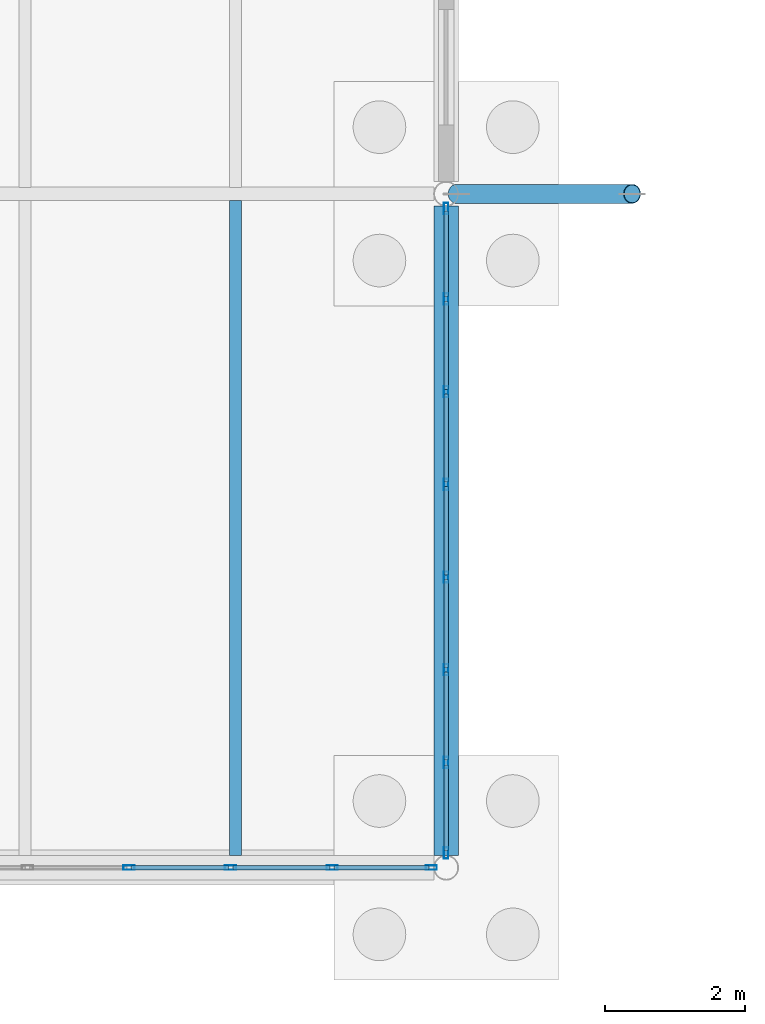
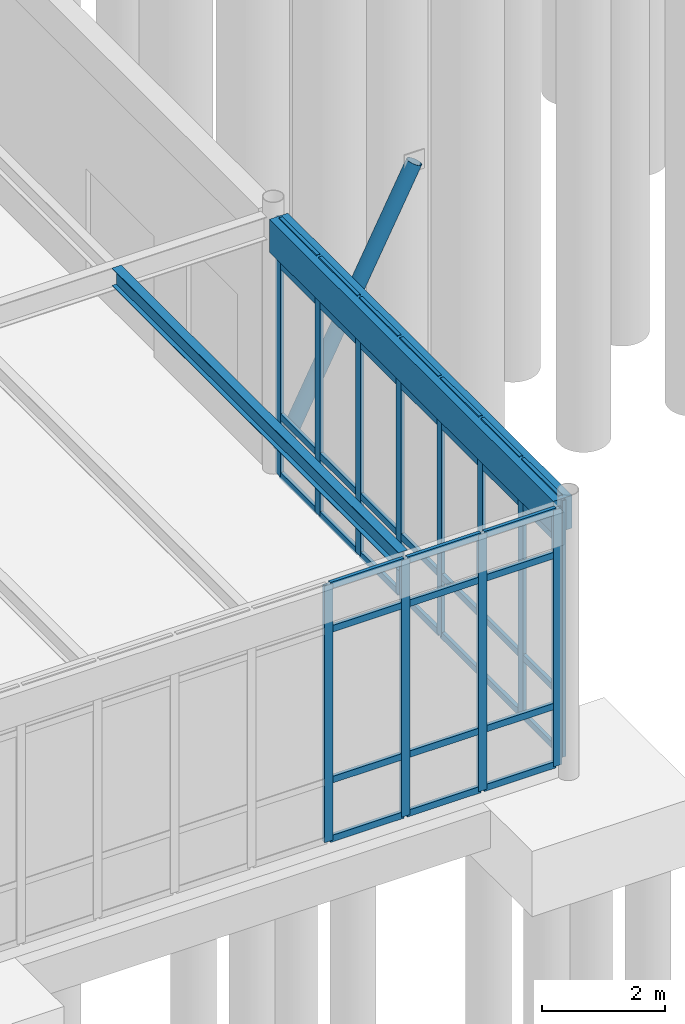
# One storey, part 32 of 188: 53 members, 2 beams, 2 elements without a shape of their own.
"""IFC4 building model written with IfcOpenShell, lengths in metres."""

from ifc_helpers import new_model, si_unit, direction, frame, origin, origin_2d, place, context, subcontext, project, spatial, rectangle, hollow_rectangle, hollow_circle, i_section, extrude, material, layer, layer_set, material_profile, profile_set, type_object, element, aggregate, save


model = new_model("IFC4")

# Units and contexts
model_context = context("Model", 3, precision=1e-05, world=origin(), true_north=direction((0.0, 1.0)))
body_context = subcontext(model_context, "Body", "Model", "MODEL_VIEW")
ifc_project = project(units=[si_unit("LENGTHUNIT", "METRE"), si_unit("AREAUNIT", "SQUARE_METRE"), si_unit("VOLUMEUNIT", "CUBIC_METRE"), si_unit("PLANEANGLEUNIT", "RADIAN"), si_unit("MASSUNIT", "GRAM", prefix="KILO")], contexts=[model_context])

# Site, building, storey
site_placement = place(None, origin())
site = spatial("IfcSite", under=ifc_project, at=site_placement, CompositionType="ELEMENT")
building_placement = place(site_placement, origin())
building = spatial("IfcBuilding", under=site, at=building_placement, Name="Pandanus Reach Market Hall", CompositionType="ELEMENT")
storey_placement = place(building_placement, origin())
storey = spatial("IfcBuildingStorey", under=building, at=storey_placement, Name="L00", CompositionType="ELEMENT", Elevation=0.0)

# Beam
ifc_material_1 = material(Name="Concrete N40 (40 MPa)", Category="concrete")
ifc_material_profile_1 = material_profile(ifc_material_1, rectangle(XDim=0.35009765625, YDim=0.64990234375, at=origin_2d()), Name="RC350x650", Category="LoadBearing")
ifc_profile_set_1 = profile_set([ifc_material_profile_1], Name="Concrete N40 (40 MPa)")
beam_type_1 = type_object("IfcBeamType", Name="BM-RC350-E", PredefinedType="SPANDREL", material=ifc_profile_set_1)
beam_1_placement = place(storey_placement, frame((36.0, 0.17578125, 4.784912109375), z_axis=(0.0, 1.0, 0.0), x_axis=(-1.0, 0.0, 0.0)))
element("IfcBeam", 1, at=beam_1_placement, inside=storey, type_object=beam_type_1, Name="Framing beam BM-RC350-E L00.942", PredefinedType="SPANDREL", context=body_context, shape_type="SweptSolid", body=[
    extrude(rectangle(XDim=0.35009765625, YDim=0.64990234375, at=origin_2d()), origin(), (0.0, 0.0, 1.0), 9.24853515625),
])

# Curtain wall, members
ifc_material_2 = material(Name="Bronze anodised aluminium and low-E glass", Category="aluminium")
ifc_layer_1 = layer(ifc_material_2, 0.159912109375, Name="CW-10")
ifc_layer_set_1 = layer_set([ifc_layer_1], Name="Bronze anodised aluminium and low-E glass")
curtain_wall_type_1 = type_object("IfcCurtainWallType", Name="CW-10", PredefinedType="NOTDEFINED", material=ifc_layer_set_1)
curtain_wall_1_placement = place(storey_placement, origin())
curtain_wall_1 = element("IfcCurtainWall", 2, at=curtain_wall_1_placement, inside=storey, type_object=curtain_wall_type_1, Name="Glazed curtain wall CW-10 CW-0048", PredefinedType="NOTDEFINED")
ifc_material_3 = material(Name="Bronze anodised aluminium", Category="aluminium")
ifc_material_profile_2 = material_profile(ifc_material_3, hollow_rectangle(XDim=0.06494140625, YDim=0.159912109375, WallThickness=0.00390625, at=origin_2d()), Name="ALU65x160", Category="LoadBearing")
ifc_profile_set_2 = profile_set([ifc_material_profile_2], Name="Bronze anodised aluminium")
member_type_1 = type_object("IfcMemberType", Name="CW-M1", PredefinedType="MULLION", material=ifc_profile_set_2)
member_1_placement = place(storey_placement, frame((31.482666015625, 0.0, 0.0), z_axis=(0.0, 0.0, 1.0), x_axis=(0.0, 1.0, 0.0)))
member_1 = element("IfcMember", 3, at=member_1_placement, type_object=member_type_1, Name="CW-10 mullion 6", PredefinedType="MULLION", context=body_context, shape_type="SweptSolid", body=[
    extrude(hollow_rectangle(XDim=0.06494140625, YDim=0.159912109375, WallThickness=0.00390625, at=origin_2d()), origin(), (0.0, 0.0, 1.0), 5.10009765625),
])
member_2_placement = place(storey_placement, frame((32.92919921875, 0.0, 0.0), z_axis=(0.0, 0.0, 1.0), x_axis=(0.0, 1.0, 0.0)))
member_2 = element("IfcMember", 4, at=member_2_placement, type_object=member_type_1, Name="CW-10 mullion 7", PredefinedType="MULLION", context=body_context, shape_type="SweptSolid", body=[
    extrude(hollow_rectangle(XDim=0.06494140625, YDim=0.159912109375, WallThickness=0.00390625, at=origin_2d()), origin(), (0.0, 0.0, 1.0), 5.10009765625),
])
member_3_placement = place(storey_placement, frame((34.375732421875, 0.0, 0.0), z_axis=(0.0, 0.0, 1.0), x_axis=(0.0, 1.0, 0.0)))
member_3 = element("IfcMember", 5, at=member_3_placement, type_object=member_type_1, Name="CW-10 mullion 8", PredefinedType="MULLION", context=body_context, shape_type="SweptSolid", body=[
    extrude(hollow_rectangle(XDim=0.06494140625, YDim=0.159912109375, WallThickness=0.00390625, at=origin_2d()), origin(), (0.0, 0.0, 1.0), 5.10009765625),
])
member_4_placement = place(storey_placement, frame((35.789794921875, 0.0, 0.0), z_axis=(0.0, 0.0, 1.0), x_axis=(0.0, 1.0, 0.0)))
member_4 = element("IfcMember", 6, at=member_4_placement, type_object=member_type_1, Name="CW-10 mullion 9", PredefinedType="MULLION", context=body_context, shape_type="SweptSolid", body=[
    extrude(hollow_rectangle(XDim=0.06494140625, YDim=0.159912109375, WallThickness=0.00390625, at=origin_2d()), origin(), (0.0, 0.0, 1.0), 5.10009765625),
])

ifc_layer_2 = layer(ifc_material_2, 0.159912109375, Name="CW-14")
ifc_layer_set_2 = layer_set([ifc_layer_2], Name="Bronze anodised aluminium and low-E glass")
curtain_wall_type_2 = type_object("IfcCurtainWallType", Name="CW-14", PredefinedType="NOTDEFINED", material=ifc_layer_set_2)
curtain_wall_2_placement = place(storey_placement, origin())
curtain_wall_2 = element("IfcCurtainWall", 7, at=curtain_wall_2_placement, inside=storey, type_object=curtain_wall_type_2, Name="Glazed curtain wall CW-14 CW-0052", PredefinedType="NOTDEFINED")
member_5_placement = place(storey_placement, frame((36.0, 0.210205078125, 0.0), z_axis=(0.0, 0.0, 1.0), x_axis=(-1.0, 0.0, 0.0)))
member_5 = element("IfcMember", 8, at=member_5_placement, type_object=member_type_1, Name="CW-14 mullion 1", PredefinedType="MULLION", context=body_context, shape_type="SweptSolid", body=[
    extrude(hollow_rectangle(XDim=0.06494140625, YDim=0.159912109375, WallThickness=0.00390625, at=origin_2d()), origin(), (0.0, 0.0, 1.0), 5.10009765625),
])
member_6_placement = place(storey_placement, frame((36.0, 1.49853515625, 0.0), z_axis=(0.0, 0.0, 1.0), x_axis=(-1.0, 0.0, 0.0)))
member_6 = element("IfcMember", 9, at=member_6_placement, type_object=member_type_1, Name="CW-14 mullion 2", PredefinedType="MULLION", context=body_context, shape_type="SweptSolid", body=[
    extrude(hollow_rectangle(XDim=0.06494140625, YDim=0.159912109375, WallThickness=0.00390625, at=origin_2d()), origin(), (0.0, 0.0, 1.0), 5.10009765625),
])
member_7_placement = place(storey_placement, frame((36.0, 2.819091796875, 0.0), z_axis=(0.0, 0.0, 1.0), x_axis=(-1.0, 0.0, 0.0)))
member_7 = element("IfcMember", 10, at=member_7_placement, type_object=member_type_1, Name="CW-14 mullion 3", PredefinedType="MULLION", context=body_context, shape_type="SweptSolid", body=[
    extrude(hollow_rectangle(XDim=0.06494140625, YDim=0.159912109375, WallThickness=0.00390625, at=origin_2d()), origin(), (0.0, 0.0, 1.0), 5.10009765625),
])
member_8_placement = place(storey_placement, frame((36.0, 4.1396484375, 0.0), z_axis=(0.0, 0.0, 1.0), x_axis=(-1.0, 0.0, 0.0)))
member_8 = element("IfcMember", 11, at=member_8_placement, type_object=member_type_1, Name="CW-14 mullion 4", PredefinedType="MULLION", context=body_context, shape_type="SweptSolid", body=[
    extrude(hollow_rectangle(XDim=0.06494140625, YDim=0.159912109375, WallThickness=0.00390625, at=origin_2d()), origin(), (0.0, 0.0, 1.0), 5.10009765625),
])
member_9_placement = place(storey_placement, frame((36.0, 5.460205078125, 0.0), z_axis=(0.0, 0.0, 1.0), x_axis=(-1.0, 0.0, 0.0)))
member_9 = element("IfcMember", 12, at=member_9_placement, type_object=member_type_1, Name="CW-14 mullion 5", PredefinedType="MULLION", context=body_context, shape_type="SweptSolid", body=[
    extrude(hollow_rectangle(XDim=0.06494140625, YDim=0.159912109375, WallThickness=0.00390625, at=origin_2d()), origin(), (0.0, 0.0, 1.0), 5.10009765625),
])
member_10_placement = place(storey_placement, frame((36.0, 6.781005859375, 0.0), z_axis=(0.0, 0.0, 1.0), x_axis=(-1.0, 0.0, 0.0)))
member_10 = element("IfcMember", 13, at=member_10_placement, type_object=member_type_1, Name="CW-14 mullion 6", PredefinedType="MULLION", context=body_context, shape_type="SweptSolid", body=[
    extrude(hollow_rectangle(XDim=0.06494140625, YDim=0.159912109375, WallThickness=0.00390625, at=origin_2d()), origin(), (0.0, 0.0, 1.0), 5.10009765625),
])
member_11_placement = place(storey_placement, frame((36.0, 8.1015625, 0.0), z_axis=(0.0, 0.0, 1.0), x_axis=(-1.0, 0.0, 0.0)))
member_11 = element("IfcMember", 14, at=member_11_placement, type_object=member_type_1, Name="CW-14 mullion 7", PredefinedType="MULLION", context=body_context, shape_type="SweptSolid", body=[
    extrude(hollow_rectangle(XDim=0.06494140625, YDim=0.159912109375, WallThickness=0.00390625, at=origin_2d()), origin(), (0.0, 0.0, 1.0), 5.10009765625),
])
member_12_placement = place(storey_placement, frame((36.0, 9.3896484375, 0.0), z_axis=(0.0, 0.0, 1.0), x_axis=(-1.0, 0.0, 0.0)))
member_12 = element("IfcMember", 15, at=member_12_placement, type_object=member_type_1, Name="CW-14 mullion 8", PredefinedType="MULLION", context=body_context, shape_type="SweptSolid", body=[
    extrude(hollow_rectangle(XDim=0.06494140625, YDim=0.159912109375, WallThickness=0.00390625, at=origin_2d()), origin(), (0.0, 0.0, 1.0), 5.10009765625),
])

# Member
ifc_material_profile_3 = material_profile(ifc_material_3, hollow_rectangle(XDim=0.06494140625, YDim=0.1298828125, WallThickness=0.00390625, at=origin_2d()), Name="ALU65x130", Category="LoadBearing")
ifc_profile_set_3 = profile_set([ifc_material_profile_3], Name="Bronze anodised aluminium")
member_type_2 = type_object("IfcMemberType", Name="CW-T1", PredefinedType="USERDEFINED", material=ifc_profile_set_3)
member_13_placement = place(storey_placement, frame((31.51513671875, 0.0, 0.032470703125), z_axis=(1.0, 0.0, 0.0), x_axis=(0.0, 1.0, 0.0)))
member_13 = element("IfcMember", 16, at=member_13_placement, type_object=member_type_2, Name="CW-10 transom 6.1", ObjectType="TRANSOM", PredefinedType="USERDEFINED", context=body_context, shape_type="SweptSolid", body=[
    extrude(hollow_rectangle(XDim=0.06494140625, YDim=0.1298828125, WallThickness=0.00390625, at=origin_2d()), origin(), (0.0, 0.0, 1.0), 1.381591796875),
])

member_14_placement = place(storey_placement, frame((31.51513671875, 0.0, 1.199951171875), z_axis=(1.0, 0.0, 0.0), x_axis=(0.0, 1.0, 0.0)))
member_14 = element("IfcMember", 17, at=member_14_placement, type_object=member_type_2, Name="CW-10 transom 6.2", ObjectType="TRANSOM", PredefinedType="USERDEFINED", context=body_context, shape_type="SweptSolid", body=[
    extrude(hollow_rectangle(XDim=0.06494140625, YDim=0.1298828125, WallThickness=0.00390625, at=origin_2d()), origin(), (0.0, 0.0, 1.0), 1.381591796875),
])

member_15_placement = place(storey_placement, frame((31.51513671875, 0.0, 4.199951171875), z_axis=(1.0, 0.0, 0.0), x_axis=(0.0, 1.0, 0.0)))
member_15 = element("IfcMember", 18, at=member_15_placement, type_object=member_type_2, Name="CW-10 transom 6.3", ObjectType="TRANSOM", PredefinedType="USERDEFINED", context=body_context, shape_type="SweptSolid", body=[
    extrude(hollow_rectangle(XDim=0.06494140625, YDim=0.1298828125, WallThickness=0.00390625, at=origin_2d()), origin(), (0.0, 0.0, 1.0), 1.381591796875),
])

member_16_placement = place(storey_placement, frame((31.51513671875, 0.0, 5.0673828125), z_axis=(1.0, 0.0, 0.0), x_axis=(0.0, 1.0, 0.0)))
member_16 = element("IfcMember", 19, at=member_16_placement, type_object=member_type_2, Name="CW-10 transom 6.4", ObjectType="TRANSOM", PredefinedType="USERDEFINED", context=body_context, shape_type="SweptSolid", body=[
    extrude(hollow_rectangle(XDim=0.06494140625, YDim=0.1298828125, WallThickness=0.00390625, at=origin_2d()), origin(), (0.0, 0.0, 1.0), 1.381591796875),
])

member_17_placement = place(storey_placement, frame((32.961669921875, 0.0, 0.032470703125), z_axis=(1.0, 0.0, 0.0), x_axis=(0.0, 1.0, 0.0)))
member_17 = element("IfcMember", 20, at=member_17_placement, type_object=member_type_2, Name="CW-10 transom 7.1", ObjectType="TRANSOM", PredefinedType="USERDEFINED", context=body_context, shape_type="SweptSolid", body=[
    extrude(hollow_rectangle(XDim=0.06494140625, YDim=0.1298828125, WallThickness=0.00390625, at=origin_2d()), origin(), (0.0, 0.0, 1.0), 1.381591796875),
])

member_18_placement = place(storey_placement, frame((32.961669921875, 0.0, 1.199951171875), z_axis=(1.0, 0.0, 0.0), x_axis=(0.0, 1.0, 0.0)))
member_18 = element("IfcMember", 21, at=member_18_placement, type_object=member_type_2, Name="CW-10 transom 7.2", ObjectType="TRANSOM", PredefinedType="USERDEFINED", context=body_context, shape_type="SweptSolid", body=[
    extrude(hollow_rectangle(XDim=0.06494140625, YDim=0.1298828125, WallThickness=0.00390625, at=origin_2d()), origin(), (0.0, 0.0, 1.0), 1.381591796875),
])

member_19_placement = place(storey_placement, frame((32.961669921875, 0.0, 4.199951171875), z_axis=(1.0, 0.0, 0.0), x_axis=(0.0, 1.0, 0.0)))
member_19 = element("IfcMember", 22, at=member_19_placement, type_object=member_type_2, Name="CW-10 transom 7.3", ObjectType="TRANSOM", PredefinedType="USERDEFINED", context=body_context, shape_type="SweptSolid", body=[
    extrude(hollow_rectangle(XDim=0.06494140625, YDim=0.1298828125, WallThickness=0.00390625, at=origin_2d()), origin(), (0.0, 0.0, 1.0), 1.381591796875),
])

member_20_placement = place(storey_placement, frame((32.961669921875, 0.0, 5.0673828125), z_axis=(1.0, 0.0, 0.0), x_axis=(0.0, 1.0, 0.0)))
member_20 = element("IfcMember", 23, at=member_20_placement, type_object=member_type_2, Name="CW-10 transom 7.4", ObjectType="TRANSOM", PredefinedType="USERDEFINED", context=body_context, shape_type="SweptSolid", body=[
    extrude(hollow_rectangle(XDim=0.06494140625, YDim=0.1298828125, WallThickness=0.00390625, at=origin_2d()), origin(), (0.0, 0.0, 1.0), 1.381591796875),
])

member_21_placement = place(storey_placement, frame((34.408203125, 0.0, 0.032470703125), z_axis=(1.0, 0.0, 0.0), x_axis=(0.0, 1.0, 0.0)))
member_21 = element("IfcMember", 24, at=member_21_placement, type_object=member_type_2, Name="CW-10 transom 8.1", ObjectType="TRANSOM", PredefinedType="USERDEFINED", context=body_context, shape_type="SweptSolid", body=[
    extrude(hollow_rectangle(XDim=0.06494140625, YDim=0.1298828125, WallThickness=0.00390625, at=origin_2d()), origin(), (0.0, 0.0, 1.0), 1.348876953125),
])

member_22_placement = place(storey_placement, frame((34.408203125, 0.0, 1.199951171875), z_axis=(1.0, 0.0, 0.0), x_axis=(0.0, 1.0, 0.0)))
member_22 = element("IfcMember", 25, at=member_22_placement, type_object=member_type_2, Name="CW-10 transom 8.2", ObjectType="TRANSOM", PredefinedType="USERDEFINED", context=body_context, shape_type="SweptSolid", body=[
    extrude(hollow_rectangle(XDim=0.06494140625, YDim=0.1298828125, WallThickness=0.00390625, at=origin_2d()), origin(), (0.0, 0.0, 1.0), 1.348876953125),
])

member_23_placement = place(storey_placement, frame((34.408203125, 0.0, 4.199951171875), z_axis=(1.0, 0.0, 0.0), x_axis=(0.0, 1.0, 0.0)))
member_23 = element("IfcMember", 26, at=member_23_placement, type_object=member_type_2, Name="CW-10 transom 8.3", ObjectType="TRANSOM", PredefinedType="USERDEFINED", context=body_context, shape_type="SweptSolid", body=[
    extrude(hollow_rectangle(XDim=0.06494140625, YDim=0.1298828125, WallThickness=0.00390625, at=origin_2d()), origin(), (0.0, 0.0, 1.0), 1.348876953125),
])

member_24_placement = place(storey_placement, frame((34.408203125, 0.0, 5.0673828125), z_axis=(1.0, 0.0, 0.0), x_axis=(0.0, 1.0, 0.0)))
member_24 = element("IfcMember", 27, at=member_24_placement, type_object=member_type_2, Name="CW-10 transom 8.4", ObjectType="TRANSOM", PredefinedType="USERDEFINED", context=body_context, shape_type="SweptSolid", body=[
    extrude(hollow_rectangle(XDim=0.06494140625, YDim=0.1298828125, WallThickness=0.00390625, at=origin_2d()), origin(), (0.0, 0.0, 1.0), 1.348876953125),
])

aggregate(curtain_wall_1, [member_1, member_2, member_3, member_4, member_13, member_14, member_15, member_16, member_17, member_18, member_19, member_20, member_21, member_22, member_23, member_24])

member_25_placement = place(storey_placement, frame((36.0, 0.242919921875, 0.032470703125), z_axis=(0.0, 1.0, 0.0), x_axis=(-1.0, 0.0, 0.0)))
member_25 = element("IfcMember", 28, at=member_25_placement, type_object=member_type_2, Name="CW-14 transom 1.1", ObjectType="TRANSOM", PredefinedType="USERDEFINED", context=body_context, shape_type="SweptSolid", body=[
    extrude(hollow_rectangle(XDim=0.06494140625, YDim=0.1298828125, WallThickness=0.00390625, at=origin_2d()), origin(), (0.0, 0.0, 1.0), 1.222900390625),
])

member_26_placement = place(storey_placement, frame((36.0, 0.242919921875, 1.199951171875), z_axis=(0.0, 1.0, 0.0), x_axis=(-1.0, 0.0, 0.0)))
member_26 = element("IfcMember", 29, at=member_26_placement, type_object=member_type_2, Name="CW-14 transom 1.2", ObjectType="TRANSOM", PredefinedType="USERDEFINED", context=body_context, shape_type="SweptSolid", body=[
    extrude(hollow_rectangle(XDim=0.06494140625, YDim=0.1298828125, WallThickness=0.00390625, at=origin_2d()), origin(), (0.0, 0.0, 1.0), 1.222900390625),
])

member_27_placement = place(storey_placement, frame((36.0, 0.242919921875, 4.199951171875), z_axis=(0.0, 1.0, 0.0), x_axis=(-1.0, 0.0, 0.0)))
member_27 = element("IfcMember", 30, at=member_27_placement, type_object=member_type_2, Name="CW-14 transom 1.3", ObjectType="TRANSOM", PredefinedType="USERDEFINED", context=body_context, shape_type="SweptSolid", body=[
    extrude(hollow_rectangle(XDim=0.06494140625, YDim=0.1298828125, WallThickness=0.00390625, at=origin_2d()), origin(), (0.0, 0.0, 1.0), 1.222900390625),
])

member_28_placement = place(storey_placement, frame((36.0, 0.242919921875, 5.0673828125), z_axis=(0.0, 1.0, 0.0), x_axis=(-1.0, 0.0, 0.0)))
member_28 = element("IfcMember", 31, at=member_28_placement, type_object=member_type_2, Name="CW-14 transom 1.4", ObjectType="TRANSOM", PredefinedType="USERDEFINED", context=body_context, shape_type="SweptSolid", body=[
    extrude(hollow_rectangle(XDim=0.06494140625, YDim=0.1298828125, WallThickness=0.00390625, at=origin_2d()), origin(), (0.0, 0.0, 1.0), 1.222900390625),
])

member_29_placement = place(storey_placement, frame((36.0, 1.531005859375, 0.032470703125), z_axis=(0.0, 1.0, 0.0), x_axis=(-1.0, 0.0, 0.0)))
member_29 = element("IfcMember", 32, at=member_29_placement, type_object=member_type_2, Name="CW-14 transom 2.1", ObjectType="TRANSOM", PredefinedType="USERDEFINED", context=body_context, shape_type="SweptSolid", body=[
    extrude(hollow_rectangle(XDim=0.06494140625, YDim=0.1298828125, WallThickness=0.00390625, at=origin_2d()), origin(), (0.0, 0.0, 1.0), 1.255615234375),
])

member_30_placement = place(storey_placement, frame((36.0, 1.531005859375, 1.199951171875), z_axis=(0.0, 1.0, 0.0), x_axis=(-1.0, 0.0, 0.0)))
member_30 = element("IfcMember", 33, at=member_30_placement, type_object=member_type_2, Name="CW-14 transom 2.2", ObjectType="TRANSOM", PredefinedType="USERDEFINED", context=body_context, shape_type="SweptSolid", body=[
    extrude(hollow_rectangle(XDim=0.06494140625, YDim=0.1298828125, WallThickness=0.00390625, at=origin_2d()), origin(), (0.0, 0.0, 1.0), 1.255615234375),
])

member_31_placement = place(storey_placement, frame((36.0, 1.531005859375, 4.199951171875), z_axis=(0.0, 1.0, 0.0), x_axis=(-1.0, 0.0, 0.0)))
member_31 = element("IfcMember", 34, at=member_31_placement, type_object=member_type_2, Name="CW-14 transom 2.3", ObjectType="TRANSOM", PredefinedType="USERDEFINED", context=body_context, shape_type="SweptSolid", body=[
    extrude(hollow_rectangle(XDim=0.06494140625, YDim=0.1298828125, WallThickness=0.00390625, at=origin_2d()), origin(), (0.0, 0.0, 1.0), 1.255615234375),
])

member_32_placement = place(storey_placement, frame((36.0, 1.531005859375, 5.0673828125), z_axis=(0.0, 1.0, 0.0), x_axis=(-1.0, 0.0, 0.0)))
member_32 = element("IfcMember", 35, at=member_32_placement, type_object=member_type_2, Name="CW-14 transom 2.4", ObjectType="TRANSOM", PredefinedType="USERDEFINED", context=body_context, shape_type="SweptSolid", body=[
    extrude(hollow_rectangle(XDim=0.06494140625, YDim=0.1298828125, WallThickness=0.00390625, at=origin_2d()), origin(), (0.0, 0.0, 1.0), 1.255615234375),
])

member_33_placement = place(storey_placement, frame((36.0, 2.8515625, 0.032470703125), z_axis=(0.0, 1.0, 0.0), x_axis=(-1.0, 0.0, 0.0)))
member_33 = element("IfcMember", 36, at=member_33_placement, type_object=member_type_2, Name="CW-14 transom 3.1", ObjectType="TRANSOM", PredefinedType="USERDEFINED", context=body_context, shape_type="SweptSolid", body=[
    extrude(hollow_rectangle(XDim=0.06494140625, YDim=0.1298828125, WallThickness=0.00390625, at=origin_2d()), origin(), (0.0, 0.0, 1.0), 1.255615234375),
])

member_34_placement = place(storey_placement, frame((36.0, 2.8515625, 1.199951171875), z_axis=(0.0, 1.0, 0.0), x_axis=(-1.0, 0.0, 0.0)))
member_34 = element("IfcMember", 37, at=member_34_placement, type_object=member_type_2, Name="CW-14 transom 3.2", ObjectType="TRANSOM", PredefinedType="USERDEFINED", context=body_context, shape_type="SweptSolid", body=[
    extrude(hollow_rectangle(XDim=0.06494140625, YDim=0.1298828125, WallThickness=0.00390625, at=origin_2d()), origin(), (0.0, 0.0, 1.0), 1.255615234375),
])

member_35_placement = place(storey_placement, frame((36.0, 2.8515625, 4.199951171875), z_axis=(0.0, 1.0, 0.0), x_axis=(-1.0, 0.0, 0.0)))
member_35 = element("IfcMember", 38, at=member_35_placement, type_object=member_type_2, Name="CW-14 transom 3.3", ObjectType="TRANSOM", PredefinedType="USERDEFINED", context=body_context, shape_type="SweptSolid", body=[
    extrude(hollow_rectangle(XDim=0.06494140625, YDim=0.1298828125, WallThickness=0.00390625, at=origin_2d()), origin(), (0.0, 0.0, 1.0), 1.255615234375),
])

member_36_placement = place(storey_placement, frame((36.0, 2.8515625, 5.0673828125), z_axis=(0.0, 1.0, 0.0), x_axis=(-1.0, 0.0, 0.0)))
member_36 = element("IfcMember", 39, at=member_36_placement, type_object=member_type_2, Name="CW-14 transom 3.4", ObjectType="TRANSOM", PredefinedType="USERDEFINED", context=body_context, shape_type="SweptSolid", body=[
    extrude(hollow_rectangle(XDim=0.06494140625, YDim=0.1298828125, WallThickness=0.00390625, at=origin_2d()), origin(), (0.0, 0.0, 1.0), 1.255615234375),
])

member_37_placement = place(storey_placement, frame((36.0, 4.172119140625, 0.032470703125), z_axis=(0.0, 1.0, 0.0), x_axis=(-1.0, 0.0, 0.0)))
member_37 = element("IfcMember", 40, at=member_37_placement, type_object=member_type_2, Name="CW-14 transom 4.1", ObjectType="TRANSOM", PredefinedType="USERDEFINED", context=body_context, shape_type="SweptSolid", body=[
    extrude(hollow_rectangle(XDim=0.06494140625, YDim=0.1298828125, WallThickness=0.00390625, at=origin_2d()), origin(), (0.0, 0.0, 1.0), 1.255615234375),
])

member_38_placement = place(storey_placement, frame((36.0, 4.172119140625, 1.199951171875), z_axis=(0.0, 1.0, 0.0), x_axis=(-1.0, 0.0, 0.0)))
member_38 = element("IfcMember", 41, at=member_38_placement, type_object=member_type_2, Name="CW-14 transom 4.2", ObjectType="TRANSOM", PredefinedType="USERDEFINED", context=body_context, shape_type="SweptSolid", body=[
    extrude(hollow_rectangle(XDim=0.06494140625, YDim=0.1298828125, WallThickness=0.00390625, at=origin_2d()), origin(), (0.0, 0.0, 1.0), 1.255615234375),
])

member_39_placement = place(storey_placement, frame((36.0, 4.172119140625, 4.199951171875), z_axis=(0.0, 1.0, 0.0), x_axis=(-1.0, 0.0, 0.0)))
member_39 = element("IfcMember", 42, at=member_39_placement, type_object=member_type_2, Name="CW-14 transom 4.3", ObjectType="TRANSOM", PredefinedType="USERDEFINED", context=body_context, shape_type="SweptSolid", body=[
    extrude(hollow_rectangle(XDim=0.06494140625, YDim=0.1298828125, WallThickness=0.00390625, at=origin_2d()), origin(), (0.0, 0.0, 1.0), 1.255615234375),
])

member_40_placement = place(storey_placement, frame((36.0, 4.172119140625, 5.0673828125), z_axis=(0.0, 1.0, 0.0), x_axis=(-1.0, 0.0, 0.0)))
member_40 = element("IfcMember", 43, at=member_40_placement, type_object=member_type_2, Name="CW-14 transom 4.4", ObjectType="TRANSOM", PredefinedType="USERDEFINED", context=body_context, shape_type="SweptSolid", body=[
    extrude(hollow_rectangle(XDim=0.06494140625, YDim=0.1298828125, WallThickness=0.00390625, at=origin_2d()), origin(), (0.0, 0.0, 1.0), 1.255615234375),
])

member_41_placement = place(storey_placement, frame((36.0, 5.492919921875, 0.032470703125), z_axis=(0.0, 1.0, 0.0), x_axis=(-1.0, 0.0, 0.0)))
member_41 = element("IfcMember", 44, at=member_41_placement, type_object=member_type_2, Name="CW-14 transom 5.1", ObjectType="TRANSOM", PredefinedType="USERDEFINED", context=body_context, shape_type="SweptSolid", body=[
    extrude(hollow_rectangle(XDim=0.06494140625, YDim=0.1298828125, WallThickness=0.00390625, at=origin_2d()), origin(), (0.0, 0.0, 1.0), 1.255615234375),
])

member_42_placement = place(storey_placement, frame((36.0, 5.492919921875, 1.199951171875), z_axis=(0.0, 1.0, 0.0), x_axis=(-1.0, 0.0, 0.0)))
member_42 = element("IfcMember", 45, at=member_42_placement, type_object=member_type_2, Name="CW-14 transom 5.2", ObjectType="TRANSOM", PredefinedType="USERDEFINED", context=body_context, shape_type="SweptSolid", body=[
    extrude(hollow_rectangle(XDim=0.06494140625, YDim=0.1298828125, WallThickness=0.00390625, at=origin_2d()), origin(), (0.0, 0.0, 1.0), 1.255615234375),
])

member_43_placement = place(storey_placement, frame((36.0, 5.492919921875, 4.199951171875), z_axis=(0.0, 1.0, 0.0), x_axis=(-1.0, 0.0, 0.0)))
member_43 = element("IfcMember", 46, at=member_43_placement, type_object=member_type_2, Name="CW-14 transom 5.3", ObjectType="TRANSOM", PredefinedType="USERDEFINED", context=body_context, shape_type="SweptSolid", body=[
    extrude(hollow_rectangle(XDim=0.06494140625, YDim=0.1298828125, WallThickness=0.00390625, at=origin_2d()), origin(), (0.0, 0.0, 1.0), 1.255615234375),
])

member_44_placement = place(storey_placement, frame((36.0, 5.492919921875, 5.0673828125), z_axis=(0.0, 1.0, 0.0), x_axis=(-1.0, 0.0, 0.0)))
member_44 = element("IfcMember", 47, at=member_44_placement, type_object=member_type_2, Name="CW-14 transom 5.4", ObjectType="TRANSOM", PredefinedType="USERDEFINED", context=body_context, shape_type="SweptSolid", body=[
    extrude(hollow_rectangle(XDim=0.06494140625, YDim=0.1298828125, WallThickness=0.00390625, at=origin_2d()), origin(), (0.0, 0.0, 1.0), 1.255615234375),
])

member_45_placement = place(storey_placement, frame((36.0, 6.8134765625, 0.032470703125), z_axis=(0.0, 1.0, 0.0), x_axis=(-1.0, 0.0, 0.0)))
member_45 = element("IfcMember", 48, at=member_45_placement, type_object=member_type_2, Name="CW-14 transom 6.1", ObjectType="TRANSOM", PredefinedType="USERDEFINED", context=body_context, shape_type="SweptSolid", body=[
    extrude(hollow_rectangle(XDim=0.06494140625, YDim=0.1298828125, WallThickness=0.00390625, at=origin_2d()), origin(), (0.0, 0.0, 1.0), 1.255615234375),
])

member_46_placement = place(storey_placement, frame((36.0, 6.8134765625, 1.199951171875), z_axis=(0.0, 1.0, 0.0), x_axis=(-1.0, 0.0, 0.0)))
member_46 = element("IfcMember", 49, at=member_46_placement, type_object=member_type_2, Name="CW-14 transom 6.2", ObjectType="TRANSOM", PredefinedType="USERDEFINED", context=body_context, shape_type="SweptSolid", body=[
    extrude(hollow_rectangle(XDim=0.06494140625, YDim=0.1298828125, WallThickness=0.00390625, at=origin_2d()), origin(), (0.0, 0.0, 1.0), 1.255615234375),
])

member_47_placement = place(storey_placement, frame((36.0, 6.8134765625, 4.199951171875), z_axis=(0.0, 1.0, 0.0), x_axis=(-1.0, 0.0, 0.0)))
member_47 = element("IfcMember", 50, at=member_47_placement, type_object=member_type_2, Name="CW-14 transom 6.3", ObjectType="TRANSOM", PredefinedType="USERDEFINED", context=body_context, shape_type="SweptSolid", body=[
    extrude(hollow_rectangle(XDim=0.06494140625, YDim=0.1298828125, WallThickness=0.00390625, at=origin_2d()), origin(), (0.0, 0.0, 1.0), 1.255615234375),
])

member_48_placement = place(storey_placement, frame((36.0, 6.8134765625, 5.0673828125), z_axis=(0.0, 1.0, 0.0), x_axis=(-1.0, 0.0, 0.0)))
member_48 = element("IfcMember", 51, at=member_48_placement, type_object=member_type_2, Name="CW-14 transom 6.4", ObjectType="TRANSOM", PredefinedType="USERDEFINED", context=body_context, shape_type="SweptSolid", body=[
    extrude(hollow_rectangle(XDim=0.06494140625, YDim=0.1298828125, WallThickness=0.00390625, at=origin_2d()), origin(), (0.0, 0.0, 1.0), 1.255615234375),
])

member_49_placement = place(storey_placement, frame((36.0, 8.134033203125, 0.032470703125), z_axis=(0.0, 1.0, 0.0), x_axis=(-1.0, 0.0, 0.0)))
member_49 = element("IfcMember", 52, at=member_49_placement, type_object=member_type_2, Name="CW-14 transom 7.1", ObjectType="TRANSOM", PredefinedType="USERDEFINED", context=body_context, shape_type="SweptSolid", body=[
    extrude(hollow_rectangle(XDim=0.06494140625, YDim=0.1298828125, WallThickness=0.00390625, at=origin_2d()), origin(), (0.0, 0.0, 1.0), 1.22314453125),
])

member_50_placement = place(storey_placement, frame((36.0, 8.134033203125, 1.199951171875), z_axis=(0.0, 1.0, 0.0), x_axis=(-1.0, 0.0, 0.0)))
member_50 = element("IfcMember", 53, at=member_50_placement, type_object=member_type_2, Name="CW-14 transom 7.2", ObjectType="TRANSOM", PredefinedType="USERDEFINED", context=body_context, shape_type="SweptSolid", body=[
    extrude(hollow_rectangle(XDim=0.06494140625, YDim=0.1298828125, WallThickness=0.00390625, at=origin_2d()), origin(), (0.0, 0.0, 1.0), 1.22314453125),
])

member_51_placement = place(storey_placement, frame((36.0, 8.134033203125, 4.199951171875), z_axis=(0.0, 1.0, 0.0), x_axis=(-1.0, 0.0, 0.0)))
member_51 = element("IfcMember", 54, at=member_51_placement, type_object=member_type_2, Name="CW-14 transom 7.3", ObjectType="TRANSOM", PredefinedType="USERDEFINED", context=body_context, shape_type="SweptSolid", body=[
    extrude(hollow_rectangle(XDim=0.06494140625, YDim=0.1298828125, WallThickness=0.00390625, at=origin_2d()), origin(), (0.0, 0.0, 1.0), 1.22314453125),
])

member_52_placement = place(storey_placement, frame((36.0, 8.134033203125, 5.0673828125), z_axis=(0.0, 1.0, 0.0), x_axis=(-1.0, 0.0, 0.0)))
member_52 = element("IfcMember", 55, at=member_52_placement, type_object=member_type_2, Name="CW-14 transom 7.4", ObjectType="TRANSOM", PredefinedType="USERDEFINED", context=body_context, shape_type="SweptSolid", body=[
    extrude(hollow_rectangle(XDim=0.06494140625, YDim=0.1298828125, WallThickness=0.00390625, at=origin_2d()), origin(), (0.0, 0.0, 1.0), 1.22314453125),
])

aggregate(curtain_wall_2, [member_5, member_6, member_7, member_8, member_9, member_10, member_11, member_12, member_25, member_26, member_27, member_28, member_29, member_30, member_31, member_32, member_33, member_34, member_35, member_36, member_37, member_38, member_39, member_40, member_41, member_42, member_43, member_44, member_45, member_46, member_47, member_48, member_49, member_50, member_51, member_52])

# Beam
ifc_material_4 = material(Name="Steel Grade 350 (350 MPa)", Category="steel")
ifc_material_profile_4 = material_profile(ifc_material_4, i_section(OverallWidth=0.1708984375, OverallDepth=0.35595703125, WebThickness=0.00732421875, FlangeThickness=0.011474609375, at=origin_2d()), Name="360UB50.7", Category="LoadBearing")
ifc_profile_set_4 = profile_set([ifc_material_profile_4], Name="Steel Grade 350 (350 MPa)")
beam_type_2 = type_object("IfcBeamType", Name="JS-UB360-I", PredefinedType="JOIST", material=ifc_profile_set_4)
beam_2_placement = place(storey_placement, frame((33.0, 0.173095703125, 4.931640625), z_axis=(0.0, 1.0, 0.0), x_axis=(-1.0, 0.0, 0.0)))
element("IfcBeam", 56, at=beam_2_placement, inside=storey, type_object=beam_type_2, Name="Secondary joist JS-UB360-I L00.959", PredefinedType="JOIST", context=body_context, shape_type="SweptSolid", body=[
    extrude(i_section(OverallWidth=0.1708984375, OverallDepth=0.35595703125, WebThickness=0.00732421875, FlangeThickness=0.011474609375, at=origin_2d()), origin(), (0.0, 0.0, 1.0), 9.333984375),
])

# Member
ifc_material_profile_5 = material_profile(ifc_material_4, hollow_circle(Radius=0.136474609375, WallThickness=0.00927734375, at=origin_2d()), Name="273.1x9.3CHS", Category="LoadBearing")
ifc_profile_set_5 = profile_set([ifc_material_profile_5], Name="Steel Grade 350 (350 MPa)")
member_type_3 = type_object("IfcMemberType", Name="VS-CHS273-E", PredefinedType="STRUT", material=ifc_profile_set_5)
member_53_placement = place(storey_placement, frame((36.14990234375, 9.60009765625, 0.300048828125), z_axis=(0.457059548562, 0.0, 0.889436096113), x_axis=(0.0, 1.0, 0.0)))
element("IfcMember", 57, at=member_53_placement, inside=storey, type_object=member_type_3, Name="Verandah splayed steel strut L00 Y=9.6", PredefinedType="STRUT", context=body_context, shape_type="SweptSolid", body=[
    extrude(hollow_circle(Radius=0.136474609375, WallThickness=0.00927734375, at=origin_2d()), origin(), (0.0, 0.0, 1.0), 5.4697265625),
])

save(model, "model.ifc")
